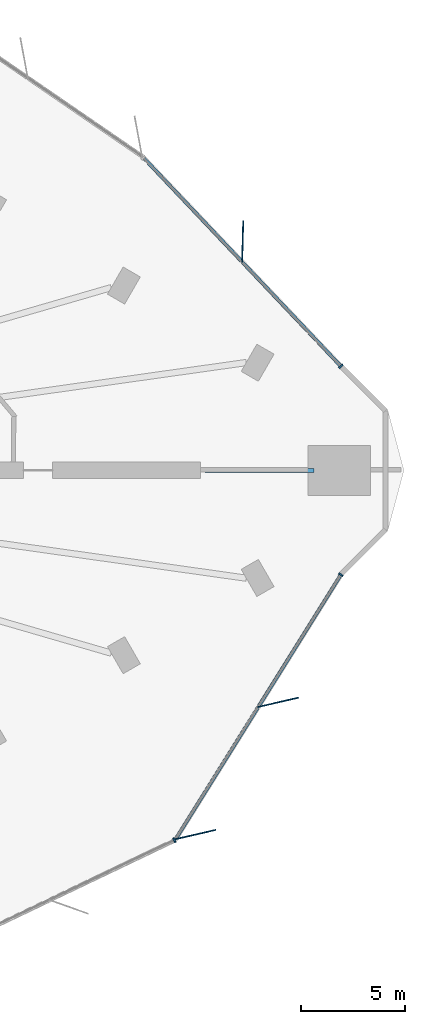
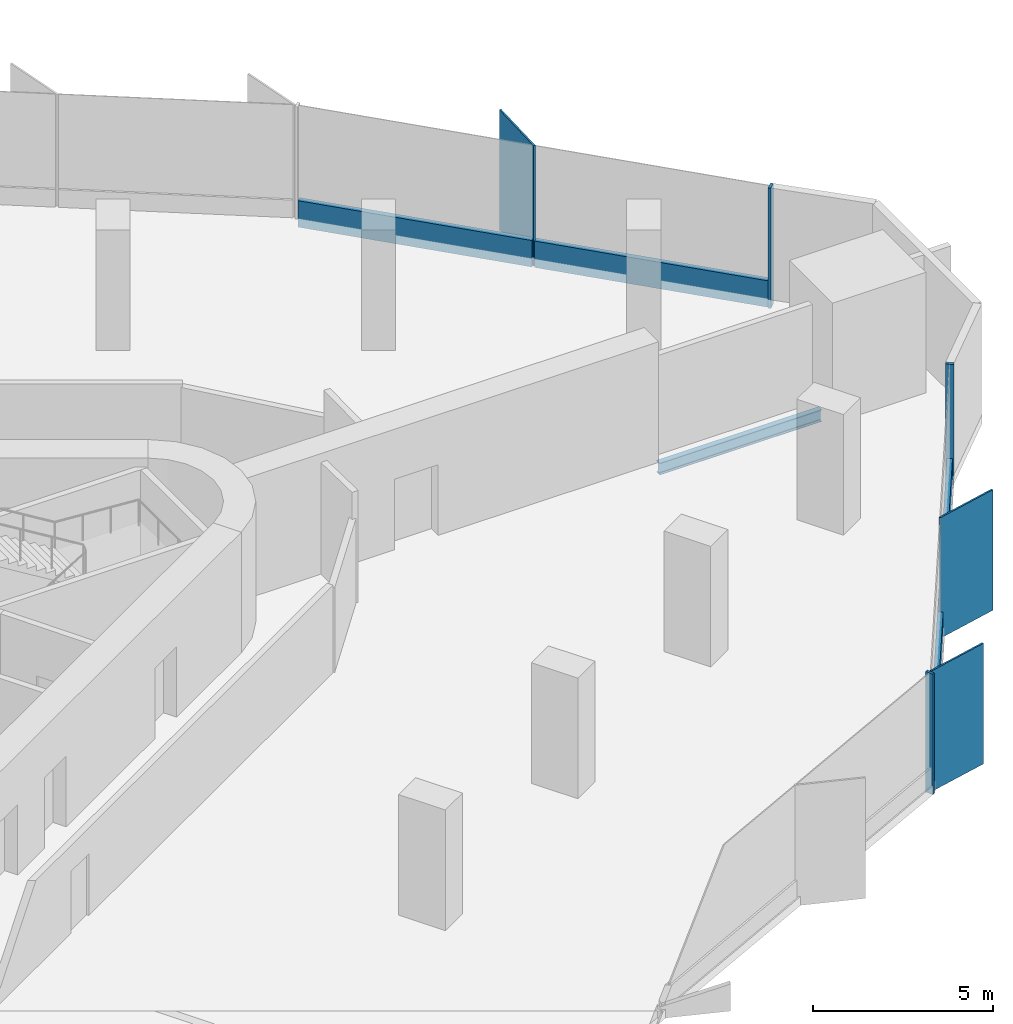
# One storey, part 6 of 15: 10 members, 1 beam, 3 elements without a shape of their own.
"""IFC4 building model written with IfcOpenShell, lengths in metres."""

from ifc_helpers import new_model, si_unit, direction, frame, origin, origin_2d, place, context, subcontext, project, spatial, rectangle, i_section, extrude, material, material_profile, profile_set, type_object, element, aggregate, save


model = new_model("IFC4")

# Units and contexts
model_context = context("Model", 3, precision=1e-05, world=origin(), true_north=direction((0.0, 1.0)))
body_context = subcontext(model_context, "Body", "Model", "MODEL_VIEW")
ifc_project = project(units=[si_unit("LENGTHUNIT", "METRE"), si_unit("AREAUNIT", "SQUARE_METRE"), si_unit("VOLUMEUNIT", "CUBIC_METRE"), si_unit("PLANEANGLEUNIT", "RADIAN"), si_unit("MASSUNIT", "GRAM", prefix="KILO")], contexts=[model_context])

# Site, building, storey
site_placement = place(None, origin())
site = spatial("IfcSite", under=ifc_project, at=site_placement, CompositionType="ELEMENT")
building_placement = place(site_placement, origin())
building = spatial("IfcBuilding", under=site, at=building_placement, Name="Tanit Gate Tower", CompositionType="ELEMENT")
storey_placement = place(building_placement, frame((0.0, 0.0, 94.699951171875)))
storey = spatial("IfcBuildingStorey", under=building, at=storey_placement, Name="L19", CompositionType="ELEMENT", Elevation=94.699951171875)

# Curtain wall, member
ifc_material_1 = material(Name="Aluminium bronze anodised and glass", Category="aluminium")
curtain_wall_type = type_object("IfcCurtainWallType", Name="Curtain wall typical low", PredefinedType="NOTDEFINED", material=ifc_material_1)
curtain_wall_1_placement = place(storey_placement, origin())
curtain_wall_1 = element("IfcCurtainWall", 1, at=curtain_wall_1_placement, inside=storey, type_object=curtain_wall_type, Name="Curtain wall L19 NE1", PredefinedType="NOTDEFINED")
ifc_material_2 = material(Name="Aluminium bronze anodised", Category="aluminium")
ifc_material_profile_1 = material_profile(ifc_material_2, rectangle(XDim=2.0, YDim=0.055908203125, at=origin_2d()), Name="56x2000 bronze fin mullion")
ifc_profile_set_1 = profile_set([ifc_material_profile_1], Name="Aluminium bronze anodised")
member_type_1 = type_object("IfcMemberType", Name="FIN MULLION 56x2000 bronze", PredefinedType="MULLION", material=ifc_profile_set_1)
member_1_placement = place(storey_placement, frame((36.398193359375, 10.951416015625, -0.300048828125), z_axis=(0.0, 0.0, 1.0), x_axis=(-0.027242100018, -0.999628865123, 0.0)))
member_1 = element("IfcMember", 2, at=member_1_placement, type_object=member_type_1, Name="Fin mullion L19 NE1.2", PredefinedType="MULLION", context=body_context, shape_type="SweptSolid", body=[
    extrude(rectangle(XDim=2.0, YDim=0.055908203125, at=origin_2d()), origin(), (0.0, 0.0, 1.0), 4.10009765625),
])

# Curtain wall, members
curtain_wall_2_placement = place(storey_placement, origin())
curtain_wall_2 = element("IfcCurtainWall", 3, at=curtain_wall_2_placement, inside=storey, type_object=curtain_wall_type, Name="Curtain wall L19 SE3", PredefinedType="NOTDEFINED")
member_2_placement = place(storey_placement, frame((34.138671875, -17.432861328125, -0.300048828125), z_axis=(0.0, 0.0, 1.0), x_axis=(-0.974389387498, -0.224867342072, 0.0)))
member_2 = element("IfcMember", 4, at=member_2_placement, type_object=member_type_1, Name="Fin mullion L19 SE3.1", PredefinedType="MULLION", context=body_context, shape_type="SweptSolid", body=[
    extrude(rectangle(XDim=2.0, YDim=0.055908203125, at=origin_2d()), origin(), (0.0, 0.0, 1.0), 4.10009765625),
])
member_3_placement = place(storey_placement, frame((38.09423828125, -11.10400390625, -0.300048828125), z_axis=(0.0, 0.0, 1.0), x_axis=(-0.974389387498, -0.224867342072, 0.0)))
member_3 = element("IfcMember", 5, at=member_3_placement, type_object=member_type_1, Name="Fin mullion L19 SE3.2", PredefinedType="MULLION", context=body_context, shape_type="SweptSolid", body=[
    extrude(rectangle(XDim=2.0, YDim=0.055908203125, at=origin_2d()), origin(), (0.0, 0.0, 1.0), 4.10009765625),
])

# Member
ifc_material_3 = material(Name="Aluminium bronze anodised", Category="aluminium")
ifc_material_profile_2 = material_profile(ifc_material_3, rectangle(XDim=0.239990234375, YDim=0.080078125, at=origin_2d()), Name="80x240 bronze mullion")
ifc_profile_set_2 = profile_set([ifc_material_profile_2], Name="Aluminium bronze anodised")
member_type_2 = type_object("IfcMemberType", Name="Mullion 80x240 typical low", PredefinedType="MULLION", material=ifc_profile_set_2)
member_4_placement = place(storey_placement, frame((41.099609375, 4.9814453125, -0.300048828125), z_axis=(0.0, 0.0, 1.0), x_axis=(-0.726107422855, -0.687581275541, 0.0)))
member_4 = element("IfcMember", 6, at=member_4_placement, type_object=member_type_2, Name="Mullion L19 NE1.1", PredefinedType="MULLION", context=body_context, shape_type="SweptSolid", body=[
    extrude(rectangle(XDim=0.239990234375, YDim=0.080078125, at=origin_2d()), origin(), (0.0, 0.0, 1.0), 4.10009765625),
])

# Curtain wall, member
curtain_wall_3_placement = place(storey_placement, origin())
curtain_wall_3 = element("IfcCurtainWall", 7, at=curtain_wall_3_placement, inside=storey, type_object=curtain_wall_type, Name="Curtain wall L19 SE2", PredefinedType="NOTDEFINED")
member_5_placement = place(storey_placement, frame((33.129150390625, -17.703857421875, -0.300048828125), z_axis=(0.0, 0.0, 1.0), x_axis=(-0.431072811819, 0.902317145415, 0.0)))
member_5 = element("IfcMember", 8, at=member_5_placement, type_object=member_type_2, Name="Mullion L19 SE2.7", PredefinedType="MULLION", context=body_context, shape_type="SweptSolid", body=[
    extrude(rectangle(XDim=0.239990234375, YDim=0.080078125, at=origin_2d()), origin(), (0.0, 0.0, 1.0), 4.10009765625),
])
aggregate(curtain_wall_3, [member_5])

# Member
member_6_placement = place(storey_placement, frame((41.097412109375, -4.994873046875, -0.300048828125), z_axis=(0.0, 0.0, 1.0), x_axis=(-0.848002565863, 0.529992120969, 0.0)))
member_6 = element("IfcMember", 9, at=member_6_placement, type_object=member_type_2, Name="Mullion L19 SE3.3", PredefinedType="MULLION", context=body_context, shape_type="SweptSolid", body=[
    extrude(rectangle(XDim=0.239990234375, YDim=0.080078125, at=origin_2d()), origin(), (0.0, 0.0, 1.0), 4.10009765625),
])

# Beam
ifc_material_4 = material(Name="Steel S355", Category="steel")
ifc_material_profile_3 = material_profile(ifc_material_4, i_section(OverallWidth=0.179931640625, OverallDepth=0.39990234375, WebThickness=0.008544921875, FlangeThickness=0.013427734375, FilletRadius=0.02099609375, at=origin_2d()), Name="IPE 400")
ifc_profile_set_3 = profile_set([ifc_material_profile_3], Name="Steel S355")
beam_type = type_object("IfcBeamType", Name="RADIAL GIRDER IPE 400 S355", PredefinedType="BEAM", material=ifc_profile_set_3)
beam_placement = place(storey_placement, frame((39.818359375, 0.0, -0.5), z_axis=(-1.0, 0.0, 0.0), x_axis=(0.0, -1.0, 0.0)))
element("IfcBeam", 10, at=beam_placement, inside=storey, type_object=beam_type, Name="RADIAL GIRDER", PredefinedType="BEAM", context=body_context, shape_type="SweptSolid", body=[
    extrude(i_section(OverallWidth=0.179931640625, OverallDepth=0.39990234375, WebThickness=0.008544921875, FlangeThickness=0.013427734375, FilletRadius=0.02099609375, at=origin_2d()), origin(), (0.0, 0.0, 1.0), 5.213134765625),
])

# Member
ifc_material_5 = material(Name="Aluminium bronze anodised", Category="aluminium")
ifc_material_profile_4 = material_profile(ifc_material_5, rectangle(XDim=0.159912109375, YDim=0.89990234375, at=origin_2d()), Name="160x900 bronze transom")
ifc_profile_set_4 = profile_set([ifc_material_profile_4], Name="Aluminium bronze anodised")
member_type_3 = type_object("IfcMemberType", Name="Transom 160x900 typical low", PredefinedType="USERDEFINED", material=ifc_profile_set_4)
member_7_placement = place(storey_placement, frame((41.072021484375, 5.010498046875, 0.150146484375), z_axis=(-0.687571252666, 0.7261169138, 0.0), x_axis=(-0.7261169138, -0.687571252666, 0.0)))
member_7 = element("IfcMember", 11, at=member_7_placement, type_object=member_type_3, Name="Transom L19 NE1.1", ObjectType="TRANSOM", PredefinedType="USERDEFINED", context=body_context, shape_type="SweptSolid", body=[
    extrude(rectangle(XDim=0.159912109375, YDim=0.89990234375, at=origin_2d()), origin(), (0.0, 0.0, 1.0), 6.796142578125),
])

member_8_placement = place(storey_placement, frame((36.34423828125, 10.00341796875, 0.150146484375), z_axis=(-0.687590192353, 0.726098979052, 0.0), x_axis=(-0.726098979052, -0.687590192353, 0.0)))
member_8 = element("IfcMember", 12, at=member_8_placement, type_object=member_type_3, Name="Transom L19 NE1.2", ObjectType="TRANSOM", PredefinedType="USERDEFINED", context=body_context, shape_type="SweptSolid", body=[
    extrude(rectangle(XDim=0.159912109375, YDim=0.89990234375, at=origin_2d()), origin(), (0.0, 0.0, 1.0), 6.79638671875),
])

aggregate(curtain_wall_1, [member_4, member_1, member_7, member_8])

member_9_placement = place(storey_placement, frame((33.207763671875, -17.61865234375, 0.150146484375), z_axis=(0.529995967696, 0.84800016169, 0.0), x_axis=(-0.84800016169, 0.529995967696, 0.0)))
member_9 = element("IfcMember", 13, at=member_9_placement, type_object=member_type_3, Name="Transom L19 SE3.1", ObjectType="TRANSOM", PredefinedType="USERDEFINED", context=body_context, shape_type="SweptSolid", body=[
    extrude(rectangle(XDim=0.159912109375, YDim=0.89990234375, at=origin_2d()), origin(), (0.0, 0.0, 1.0), 7.38330078125),
])

member_10_placement = place(storey_placement, frame((37.1630859375, -11.289794921875, 0.150146484375), z_axis=(0.529995967696, 0.84800016169, 0.0), x_axis=(-0.84800016169, 0.529995967696, 0.0)))
member_10 = element("IfcMember", 14, at=member_10_placement, type_object=member_type_3, Name="Transom L19 SE3.2", ObjectType="TRANSOM", PredefinedType="USERDEFINED", context=body_context, shape_type="SweptSolid", body=[
    extrude(rectangle(XDim=0.159912109375, YDim=0.89990234375, at=origin_2d()), origin(), (0.0, 0.0, 1.0), 7.38330078125),
])

aggregate(curtain_wall_2, [member_2, member_3, member_6, member_9, member_10])

save(model, "model.ifc")
